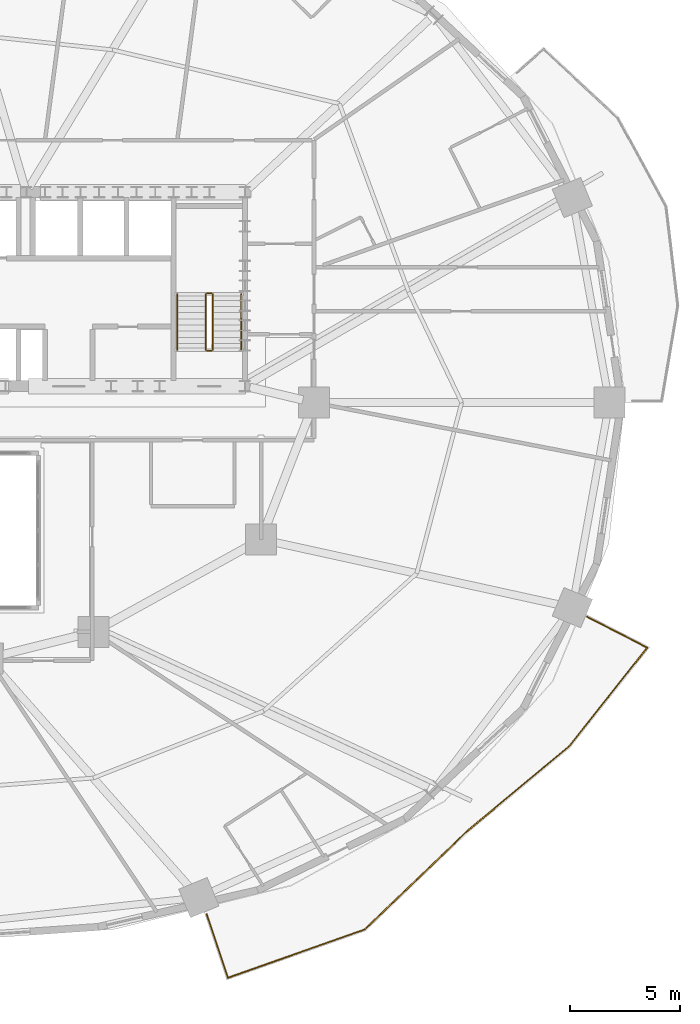
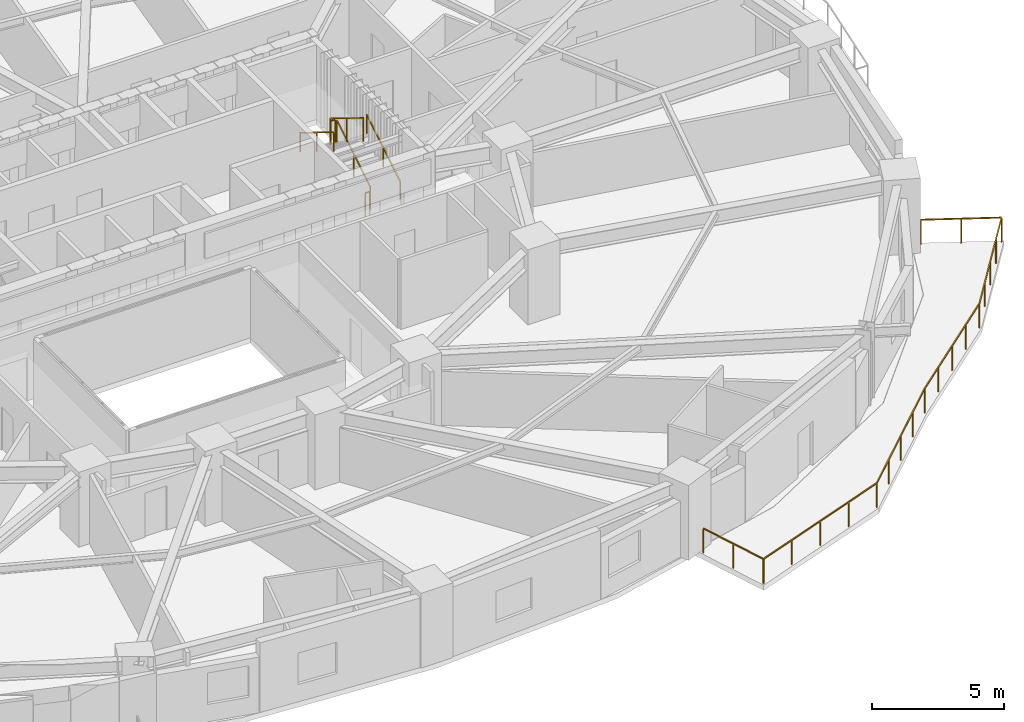
# One storey, part 16 of 17: 7 railings.
"""IFC4 building model written with IfcOpenShell, lengths in metres."""

from ifc_helpers import new_model, si_unit, direction, frame, origin, origin_2d, place, context, subcontext, project, spatial, rectangle, extrude, material, type_object, element, save


model = new_model("IFC4")

# Units and contexts
model_context = context("Model", 3, precision=1e-05, world=origin(), true_north=direction((0.0, 1.0)))
body_context = subcontext(model_context, "Body", "Model", "MODEL_VIEW")
ifc_project = project(units=[si_unit("LENGTHUNIT", "METRE"), si_unit("AREAUNIT", "SQUARE_METRE"), si_unit("VOLUMEUNIT", "CUBIC_METRE"), si_unit("PLANEANGLEUNIT", "RADIAN"), si_unit("MASSUNIT", "GRAM", prefix="KILO")], contexts=[model_context])

# Site, building, storey
site_placement = place(None, origin())
site = spatial("IfcSite", under=ifc_project, at=site_placement, CompositionType="ELEMENT")
building_placement = place(site_placement, origin())
building = spatial("IfcBuilding", under=site, at=building_placement, Name="Haldorwick Loom Tower", CompositionType="ELEMENT")
storey_placement = place(building_placement, frame((0.0, 0.0, 55.050048828125)))
storey = spatial("IfcBuildingStorey", under=building, at=storey_placement, Name="L14", CompositionType="ELEMENT", Elevation=55.050048828125)

# Railings
ifc_material_1 = material(Name="Galvanized Steel CSA G40.21 350W", Category="steel")
railing_type_1 = type_object("IfcRailingType", Name="ARC-RLG-BAL115", PredefinedType="BALUSTRADE", material=ifc_material_1)
railing_1_placement = place(storey_placement, frame((65.5927734375, 16.288330078125, 0.0)))
element("IfcRailing", 1, at=railing_1_placement, inside=storey, type_object=railing_type_1, Name="L14 Outdoor Terrace Guardrail SLB-L14-BAL_SE-1", PredefinedType="BALUSTRADE", context=body_context, shape_type="SweptSolid", body=[
    extrude(rectangle(XDim=0.048095703125, YDim=0.048095703125, at=origin_2d()), frame((0.0, 0.0, 1.1259765625), z_axis=(0.888545143405, -0.458789197923, 0.0), x_axis=(0.458789197923, 0.888545143405, 0.0)), (0.0, 0.0, 1.0), 3.060791015625),
    extrude(rectangle(XDim=0.048095703125, YDim=0.048095703125, at=origin_2d()), frame((2.7197265625, -1.404296875, 1.1259765625), z_axis=(-0.621111371272, -0.783722313372, 0.0), x_axis=(0.783722313372, -0.621111371272, 0.0)), (0.0, 0.0, 1.0), 5.709716796875),
    extrude(rectangle(XDim=0.048095703125, YDim=0.048095703125, at=origin_2d()), frame((-0.82666015625, -5.879150390625, 1.1259765625), z_axis=(-0.768920852016, -0.639343978883, 0.0), x_axis=(0.639343978883, -0.768920852016, 0.0)), (0.0, 0.0, 1.0), 5.974609375),
    extrude(rectangle(XDim=0.048095703125, YDim=0.048095703125, at=origin_2d()), frame((-5.420654296875, -9.698974609375, 1.1259765625), z_axis=(-0.768221279597, -0.640184399664, 0.0), x_axis=(0.640184399664, -0.768221279597, 0.0)), (0.0, 0.0, 1.0), 0.005615234375),
    extrude(rectangle(XDim=0.048095703125, YDim=0.048095703125, at=origin_2d()), frame((-5.425048828125, -9.70263671875, 1.1259765625), z_axis=(-0.721452184694, -0.69246425554, 0.0), x_axis=(0.69246425554, -0.721452184694, 0.0)), (0.0, 0.0, 1.0), 6.46826171875),
    extrude(rectangle(XDim=0.048095703125, YDim=0.048095703125, at=origin_2d()), frame((-10.091552734375, -14.181640625, 1.1259765625), z_axis=(-0.942979374633, -0.332851166465, 0.0), x_axis=(0.332851166465, -0.942979374633, 0.0)), (0.0, 0.0, 1.0), 6.580810546875),
    extrude(rectangle(XDim=0.048095703125, YDim=0.048095703125, at=origin_2d()), frame((-16.297119140625, -16.3720703125, 1.1259765625), z_axis=(-0.316517691118, 0.948586607121, 0.0), x_axis=(-0.948586607121, -0.316517691118, 0.0)), (0.0, 0.0, 1.0), 3.03125),
    extrude(rectangle(XDim=0.0419921875, YDim=0.0419921875, at=origin_2d()), origin(), (0.0, 0.0, 1.0), 1.101806640625),
    extrude(rectangle(XDim=0.0419921875, YDim=0.0419921875, at=origin_2d()), frame((1.35986328125, -0.7021484375, 0.0)), (0.0, 0.0, 1.0), 1.101806640625),
    extrude(rectangle(XDim=0.0419921875, YDim=0.0419921875, at=origin_2d()), frame((2.7197265625, -1.404296875, 0.0)), (0.0, 0.0, 1.0), 1.101806640625),
    extrude(rectangle(XDim=0.0419921875, YDim=0.0419921875, at=origin_2d()), frame((1.8330078125, -2.52294921875, 0.0)), (0.0, 0.0, 1.0), 1.101806640625),
    extrude(rectangle(XDim=0.0419921875, YDim=0.0419921875, at=origin_2d()), frame((0.946533203125, -3.6416015625, 0.0)), (0.0, 0.0, 1.0), 1.101806640625),
    extrude(rectangle(XDim=0.0419921875, YDim=0.0419921875, at=origin_2d()), frame((0.06005859375, -4.760498046875, 0.0)), (0.0, 0.0, 1.0), 1.101806640625),
    extrude(rectangle(XDim=0.0419921875, YDim=0.0419921875, at=origin_2d()), frame((-0.82666015625, -5.879150390625, 0.0)), (0.0, 0.0, 1.0), 1.101806640625),
    extrude(rectangle(XDim=0.0419921875, YDim=0.0419921875, at=origin_2d()), frame((-1.97509765625, -6.833984375, 0.0)), (0.0, 0.0, 1.0), 1.101806640625),
    extrude(rectangle(XDim=0.0419921875, YDim=0.0419921875, at=origin_2d()), frame((-3.12353515625, -7.7890625, 0.0)), (0.0, 0.0, 1.0), 1.101806640625),
    extrude(rectangle(XDim=0.0419921875, YDim=0.0419921875, at=origin_2d()), frame((-4.272216796875, -8.744140625, 0.0)), (0.0, 0.0, 1.0), 1.101806640625),
    extrude(rectangle(XDim=0.0419921875, YDim=0.0419921875, at=origin_2d()), frame((-5.420654296875, -9.698974609375, 0.0)), (0.0, 0.0, 1.0), 1.101806640625),
    extrude(rectangle(XDim=0.0419921875, YDim=0.0419921875, at=origin_2d()), frame((-6.591796875, -10.822265625, 0.0)), (0.0, 0.0, 1.0), 1.101806640625),
    extrude(rectangle(XDim=0.0419921875, YDim=0.0419921875, at=origin_2d()), frame((-7.75830078125, -11.942138671875, 0.0)), (0.0, 0.0, 1.0), 1.101806640625),
    extrude(rectangle(XDim=0.0419921875, YDim=0.0419921875, at=origin_2d()), frame((-8.9248046875, -13.06201171875, 0.0)), (0.0, 0.0, 1.0), 1.101806640625),
    extrude(rectangle(XDim=0.0419921875, YDim=0.0419921875, at=origin_2d()), frame((-10.091552734375, -14.181640625, 0.0)), (0.0, 0.0, 1.0), 1.101806640625),
    extrude(rectangle(XDim=0.0419921875, YDim=0.0419921875, at=origin_2d()), frame((-11.64306640625, -14.729248046875, 0.0)), (0.0, 0.0, 1.0), 1.101806640625),
    extrude(rectangle(XDim=0.0419921875, YDim=0.0419921875, at=origin_2d()), frame((-13.1943359375, -15.27685546875, 0.0)), (0.0, 0.0, 1.0), 1.101806640625),
    extrude(rectangle(XDim=0.0419921875, YDim=0.0419921875, at=origin_2d()), frame((-14.74560546875, -15.824462890625, 0.0)), (0.0, 0.0, 1.0), 1.101806640625),
    extrude(rectangle(XDim=0.0419921875, YDim=0.0419921875, at=origin_2d()), frame((-16.297119140625, -16.3720703125, 0.0)), (0.0, 0.0, 1.0), 1.101806640625),
    extrude(rectangle(XDim=0.0419921875, YDim=0.0419921875, at=origin_2d()), frame((-16.77685546875, -14.934326171875, 0.0)), (0.0, 0.0, 1.0), 1.101806640625),
    extrude(rectangle(XDim=0.0419921875, YDim=0.0419921875, at=origin_2d()), frame((-17.256591796875, -13.49658203125, 0.0)), (0.0, 0.0, 1.0), 1.101806640625),
])
ifc_material_2 = material(Name="Steel CSA G40.21 350W", Category="steel")
railing_type_2 = type_object("IfcRailingType", Name="ARC-RLG-GUARD112", PredefinedType="GUARDRAIL", material=ifc_material_2)
railing_2_placement = place(storey_placement, frame((48.60009765625, 28.39990234375, 0.17236328125)))
element("IfcRailing", 2, at=railing_2_placement, inside=storey, type_object=railing_type_2, Name="L14 ST-02 stair guard 1", PredefinedType="GUARDRAIL", context=body_context, shape_type="SweptSolid", body=[
    extrude(rectangle(XDim=0.048095703125, YDim=0.048095703125, at=origin_2d()), frame((0.0, 0.0, 1.076171875), z_axis=(0.0, 0.851400495292, 0.524516154772), x_axis=(-1.0, 0.0, 0.0)), (0.0, 0.0, 1.0), 2.9599609375),
    extrude(rectangle(XDim=0.0419921875, YDim=0.0419921875, at=origin_2d()), origin(), (0.0, 0.0, 1.0), 1.052001953125),
    extrude(rectangle(XDim=0.0419921875, YDim=0.0419921875, at=origin_2d()), frame((0.0, 1.260009765625, 0.7763671875)), (0.0, 0.0, 1.0), 1.052001953125),
    extrude(rectangle(XDim=0.0419921875, YDim=0.0419921875, at=origin_2d()), frame((0.0, 2.52001953125, 1.552490234375)), (0.0, 0.0, 1.0), 1.052001953125),
])
railing_3_placement = place(storey_placement, frame((48.550048828125, 30.969970703125, 1.724853515625)))
element("IfcRailing", 3, at=railing_3_placement, inside=storey, type_object=railing_type_2, Name="L14 ST-02 stair guard 2", PredefinedType="GUARDRAIL", context=body_context, shape_type="SweptSolid", body=[
    extrude(rectangle(XDim=0.048095703125, YDim=0.048095703125, at=origin_2d()), frame((0.0, 0.0, 1.076171875), z_axis=(-1.0, 0.0, 0.0), x_axis=(0.0, -1.0, 0.0)), (0.0, 0.0, 1.0), 0.199951171875),
    extrude(rectangle(XDim=0.0419921875, YDim=0.0419921875, at=origin_2d()), origin(), (0.0, 0.0, 1.0), 1.052001953125),
    extrude(rectangle(XDim=0.0419921875, YDim=0.0419921875, at=origin_2d()), frame((-0.199951171875, 0.0, 0.0)), (0.0, 0.0, 1.0), 1.052001953125),
])
railing_4_placement = place(storey_placement, frame((48.300048828125, 30.919921875, 1.8974609375)))
element("IfcRailing", 4, at=railing_4_placement, inside=storey, type_object=railing_type_2, Name="L14 ST-02 stair guard 3", PredefinedType="GUARDRAIL", context=body_context, shape_type="SweptSolid", body=[
    extrude(rectangle(XDim=0.048095703125, YDim=0.048095703125, at=origin_2d()), frame((0.0, 0.0, 1.076171875), z_axis=(0.0, -0.851400495292, 0.524516154772), x_axis=(1.0, 0.0, 0.0)), (0.0, 0.0, 1.0), 2.9599609375),
    extrude(rectangle(XDim=0.0419921875, YDim=0.0419921875, at=origin_2d()), origin(), (0.0, 0.0, 1.0), 1.052001953125),
    extrude(rectangle(XDim=0.0419921875, YDim=0.0419921875, at=origin_2d()), frame((0.0, -1.260009765625, 0.7763671875)), (0.0, 0.0, 1.0), 1.052001953125),
    extrude(rectangle(XDim=0.0419921875, YDim=0.0419921875, at=origin_2d()), frame((0.0, -2.52001953125, 1.552490234375)), (0.0, 0.0, 1.0), 1.052001953125),
])
railing_5_placement = place(storey_placement, frame((48.550048828125, 28.35009765625, 0.0)))
element("IfcRailing", 5, at=railing_5_placement, inside=storey, type_object=railing_type_2, Name="L14 ST-02 stair guard 4", PredefinedType="GUARDRAIL", context=body_context, shape_type="SweptSolid", body=[
    extrude(rectangle(XDim=0.048095703125, YDim=0.048095703125, at=origin_2d()), frame((0.0, 0.0, 1.076171875), z_axis=(-1.0, 0.0, 0.0), x_axis=(0.0, -1.0, 0.0)), (0.0, 0.0, 1.0), 0.199951171875),
    extrude(rectangle(XDim=0.0419921875, YDim=0.0419921875, at=origin_2d()), origin(), (0.0, 0.0, 1.0), 1.052001953125),
    extrude(rectangle(XDim=0.0419921875, YDim=0.0419921875, at=origin_2d()), frame((-0.199951171875, 0.0, 0.0)), (0.0, 0.0, 1.0), 1.052001953125),
])
railing_type_3 = type_object("IfcRailingType", Name="ARC-RLG-HAND092", PredefinedType="HANDRAIL", material=ifc_material_2)
railing_6_placement = place(storey_placement, frame((49.89990234375, 28.39990234375, 0.17236328125)))
element("IfcRailing", 6, at=railing_6_placement, inside=storey, type_object=railing_type_3, Name="L14 ST-02 stair handrail 1", PredefinedType="HANDRAIL", context=body_context, shape_type="SweptSolid", body=[
    extrude(rectangle(XDim=0.048095703125, YDim=0.048095703125, at=origin_2d()), frame((0.0, 0.0, 0.8759765625), z_axis=(0.0, 0.851400495292, 0.524516154772), x_axis=(-1.0, 0.0, 0.0)), (0.0, 0.0, 1.0), 2.9599609375),
    extrude(rectangle(XDim=0.0419921875, YDim=0.0419921875, at=origin_2d()), origin(), (0.0, 0.0, 1.0), 0.851806640625),
    extrude(rectangle(XDim=0.0419921875, YDim=0.0419921875, at=origin_2d()), frame((0.0, 1.260009765625, 0.7763671875)), (0.0, 0.0, 1.0), 0.851806640625),
    extrude(rectangle(XDim=0.0419921875, YDim=0.0419921875, at=origin_2d()), frame((0.0, 2.52001953125, 1.552490234375)), (0.0, 0.0, 1.0), 0.851806640625),
])
railing_7_placement = place(storey_placement, frame((47.0, 30.919921875, 1.8974609375)))
element("IfcRailing", 7, at=railing_7_placement, inside=storey, type_object=railing_type_3, Name="L14 ST-02 stair handrail 2", PredefinedType="HANDRAIL", context=body_context, shape_type="SweptSolid", body=[
    extrude(rectangle(XDim=0.048095703125, YDim=0.048095703125, at=origin_2d()), frame((0.0, 0.0, 0.8759765625), z_axis=(0.0, -0.851400495292, 0.524516154772), x_axis=(1.0, 0.0, 0.0)), (0.0, 0.0, 1.0), 2.9599609375),
    extrude(rectangle(XDim=0.0419921875, YDim=0.0419921875, at=origin_2d()), origin(), (0.0, 0.0, 1.0), 0.851806640625),
    extrude(rectangle(XDim=0.0419921875, YDim=0.0419921875, at=origin_2d()), frame((0.0, -1.260009765625, 0.7763671875)), (0.0, 0.0, 1.0), 0.851806640625),
    extrude(rectangle(XDim=0.0419921875, YDim=0.0419921875, at=origin_2d()), frame((0.0, -2.52001953125, 1.552490234375)), (0.0, 0.0, 1.0), 0.851806640625),
])

save(model, "model.ifc")
